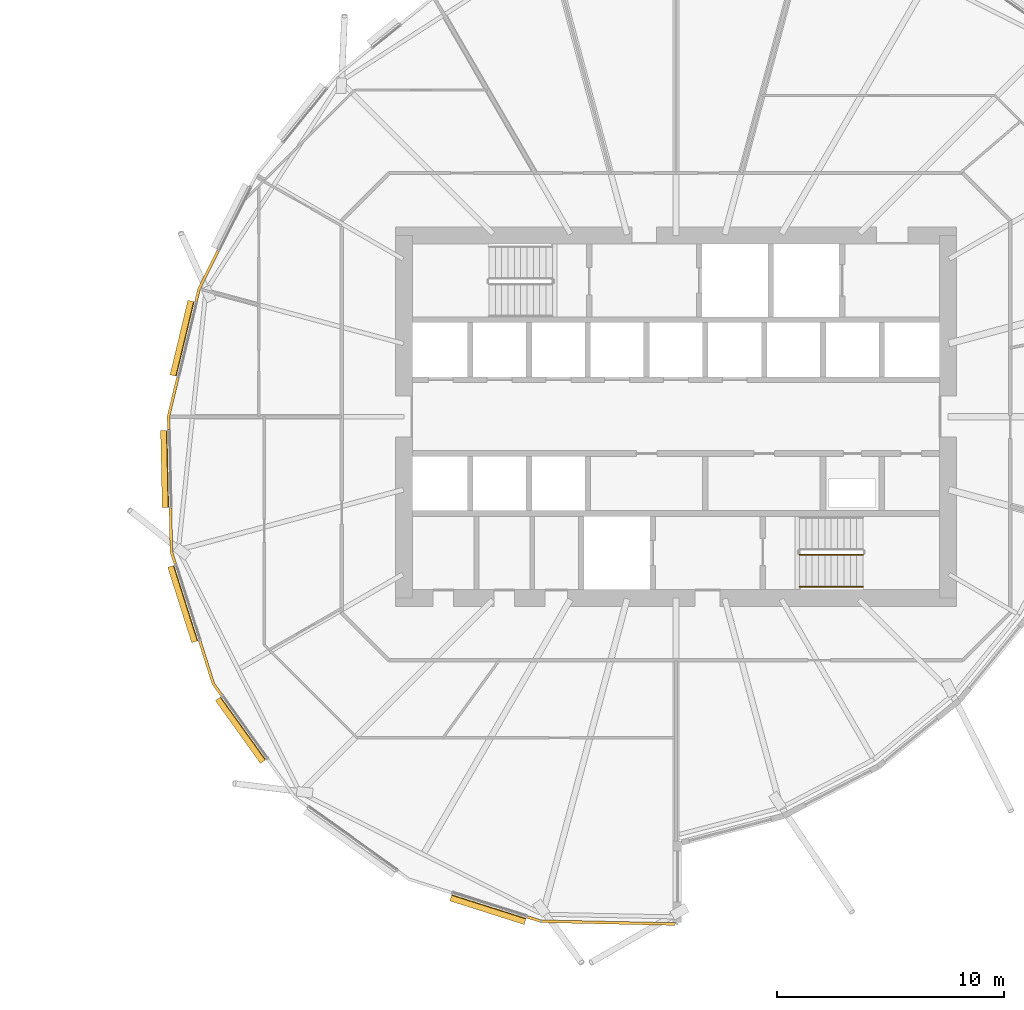
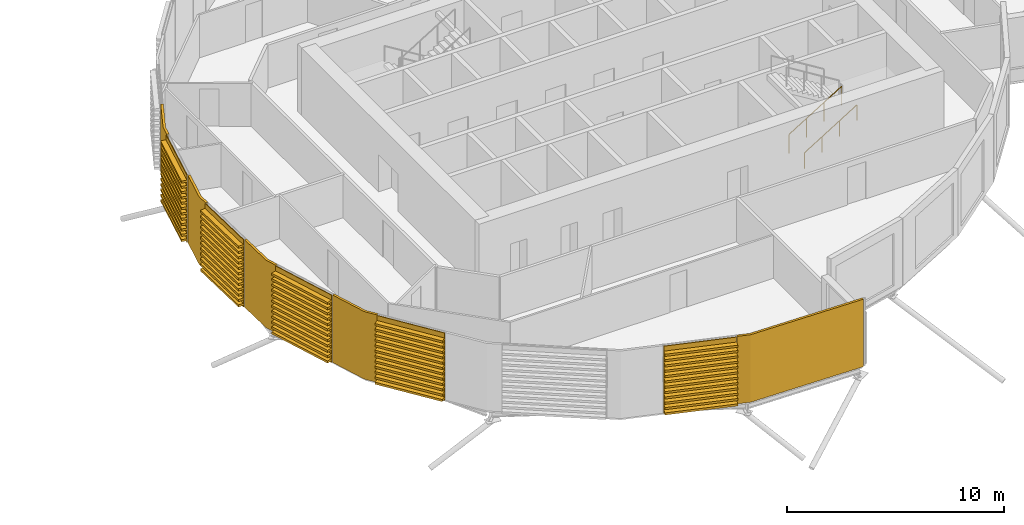
# One storey, part 40 of 42: 10 coverings, 2 railings.
"""IFC4 building model written with IfcOpenShell, lengths in metres."""

from ifc_helpers import new_model, si_unit, direction, frame, origin, origin_2d, place, context, subcontext, project, spatial, polyline, circle, outline, extrude, material, layer, layer_set, material_profile, profile_set, type_object, element, save


model = new_model("IFC4")

# Units and contexts
model_context = context("Model", 3, precision=1e-05, world=origin(), true_north=direction((0.0, 1.0)))
body_context = subcontext(model_context, "Body", "Model", "MODEL_VIEW")
ifc_project = project(units=[si_unit("LENGTHUNIT", "METRE"), si_unit("AREAUNIT", "SQUARE_METRE"), si_unit("VOLUMEUNIT", "CUBIC_METRE"), si_unit("PLANEANGLEUNIT", "RADIAN"), si_unit("MASSUNIT", "GRAM", prefix="KILO")], contexts=[model_context])

# Site, building, storey
site_placement = place(None, origin())
site = spatial("IfcSite", under=ifc_project, at=site_placement, CompositionType="ELEMENT")
building_placement = place(site_placement, origin())
building = spatial("IfcBuilding", under=site, at=building_placement, Name="Rimbun Link Towers", CompositionType="ELEMENT")
storey_placement = place(building_placement, frame((0.0, 0.0, 85.39990234375)))
storey = spatial("IfcBuildingStorey", under=building, at=storey_placement, Name="L20", CompositionType="ELEMENT", Elevation=85.39990234375)

# Coverings
ifc_material_1 = material(Name="Terracotta", Category="masonry")
ifc_layer = layer(ifc_material_1, 0.1201171875)
ifc_layer_set = layer_set([ifc_layer], Name="LINK PIER terracotta cladding 120")
covering_type_1 = type_object("IfcCoveringType", Name="LINK PIER terracotta cladding 120", PredefinedType="CLADDING", material=ifc_layer_set)
covering_1_placement = place(storey_placement, origin())
element("IfcCovering", 1, at=covering_1_placement, inside=storey, type_object=covering_type_1, Name="LINK PIER cladding", PredefinedType="CLADDING", context=body_context, shape_type="SweptSolid", body=[
    extrude(outline(polyline([(10.6337890625, 5.068115234375), (10.766357421875, 5.62255859375), (11.60546875, 7.293701171875), (11.498291015625, 7.34765625), (10.65283203125, 5.6640625), (10.51708984375, 5.09619140625), (10.6337890625, 5.068115234375)])), origin(), (0.0, 0.0, 1.0), 3.800048828125),
])
covering_2_placement = place(storey_placement, origin())
element("IfcCovering", 2, at=covering_2_placement, inside=storey, type_object=covering_type_1, Name="LINK PIER cladding", PredefinedType="CLADDING", context=body_context, shape_type="SweptSolid", body=[
    extrude(outline(polyline([(9.43359375, -0.56982421875), (9.421630859375, 0.0), (9.833251953125, 1.721435546875), (9.716552734375, 1.749267578125), (9.301513671875, 0.012939453125), (9.313720703125, -0.572509765625), (9.43359375, -0.56982421875)])), origin(), (0.0, 0.0, 1.0), 3.800048828125),
])
covering_3_placement = place(storey_placement, origin())
element("IfcCovering", 3, at=covering_3_placement, inside=storey, type_object=covering_type_1, Name="LINK PIER cladding", PredefinedType="CLADDING", context=body_context, shape_type="SweptSolid", body=[
    extrude(outline(polyline([(9.7197265625, -6.492431640625), (9.547119140625, -5.94921875), (9.506591796875, -4.02978515625), (9.38671875, -4.0322265625), (9.427490234375, -5.96923828125), (9.60546875, -6.52880859375), (9.7197265625, -6.492431640625)])), origin(), (0.0, 0.0, 1.0), 3.800048828125),
])
covering_4_placement = place(storey_placement, origin())
element("IfcCovering", 4, at=covering_4_placement, inside=storey, type_object=covering_type_1, Name="LINK PIER cladding", PredefinedType="CLADDING", context=body_context, shape_type="SweptSolid", body=[
    extrude(outline(polyline([(11.754150390625, -12.2568359375), (11.392822265625, -11.753173828125), (10.795654296875, -9.875732421875), (10.681396484375, -9.912109375), (11.2841796875, -11.8076171875), (11.65673828125, -12.326904296875), (11.754150390625, -12.2568359375)])), origin(), (0.0, 0.0, 1.0), 3.800048828125),
])
covering_5_placement = place(storey_placement, origin())
element("IfcCovering", 5, at=covering_5_placement, inside=storey, type_object=covering_type_1, Name="LINK PIER cladding", PredefinedType="CLADDING", context=body_context, shape_type="SweptSolid", body=[
    extrude(outline(polyline([(31.719970703125, -22.32763671875), (25.80078125, -22.202880859375), (25.2099609375, -22.01513671875), (25.173583984375, -22.12939453125), (25.78076171875, -22.322509765625), (31.717529296875, -22.44775390625), (31.719970703125, -22.32763671875)])), origin(), (0.0, 0.0, 1.0), 3.800048828125),
])

# Railings
ifc_material_2 = material(Name="Stainless steel grade 316", Category="steel")
railing_type_1 = type_object("IfcRailingType", Name="Stair guard", PredefinedType="GUARDRAIL", material=ifc_material_2)
railing_1_placement = place(storey_placement, frame((37.199951171875, -6.10009765625, 0.1728515625)))
element("IfcRailing", 6, at=railing_1_placement, inside=storey, type_object=railing_type_1, Name="L20 ST4 stair guard 1", PredefinedType="GUARDRAIL", context=body_context, shape_type="SweptSolid", body=[
    extrude(circle(Radius=0.02392578125, at=origin_2d()), frame((0.0, 0.0, 1.076171875), z_axis=(0.851089632645, 0.0, 0.525020415988), x_axis=(0.0, 1.0, 0.0)), (0.0, 0.0, 1.0), 3.2900390625),
    extrude(circle(Radius=0.02099609375, at=origin_2d()), origin(), (0.0, 0.0, 1.0), 1.052001953125),
    extrude(circle(Radius=0.02099609375, at=origin_2d()), frame((0.933349609375, 0.0, 0.57568359375)), (0.0, 0.0, 1.0), 1.052001953125),
    extrude(circle(Radius=0.02099609375, at=origin_2d()), frame((1.86669921875, 0.0, 1.151611328125)), (0.0, 0.0, 1.0), 1.052001953125),
    extrude(circle(Radius=0.02099609375, at=origin_2d()), frame((2.800048828125, 0.0, 1.727294921875)), (0.0, 0.0, 1.0), 1.052001953125),
])
ifc_material_3 = material(Name="Stainless steel grade 316", Category="steel")
railing_type_2 = type_object("IfcRailingType", Name="Stair handrail", PredefinedType="HANDRAIL", material=ifc_material_3)
railing_2_placement = place(storey_placement, frame((37.199951171875, -7.5, 0.1728515625)))
element("IfcRailing", 7, at=railing_2_placement, inside=storey, type_object=railing_type_2, Name="L20 ST4 stair handrail 1", PredefinedType="HANDRAIL", context=body_context, shape_type="SweptSolid", body=[
    extrude(circle(Radius=0.02392578125, at=origin_2d()), frame((0.0, 0.0, 0.8759765625), z_axis=(0.851089632645, 0.0, 0.525020415988), x_axis=(0.0, 1.0, 0.0)), (0.0, 0.0, 1.0), 3.2900390625),
    extrude(circle(Radius=0.02099609375, at=origin_2d()), origin(), (0.0, 0.0, 1.0), 0.851806640625),
    extrude(circle(Radius=0.02099609375, at=origin_2d()), frame((0.933349609375, 0.0, 0.57568359375)), (0.0, 0.0, 1.0), 0.851806640625),
    extrude(circle(Radius=0.02099609375, at=origin_2d()), frame((1.86669921875, 0.0, 1.151611328125)), (0.0, 0.0, 1.0), 0.851806640625),
    extrude(circle(Radius=0.02099609375, at=origin_2d()), frame((2.800048828125, 0.0, 1.727294921875)), (0.0, 0.0, 1.0), 0.851806640625),
])

# Coverings
ifc_material_4 = material(Name="Terracotta", Category="masonry")
ifc_material_profile = material_profile(ifc_material_4, outline(polyline([(0.123046875, 0.0), (0.1630859375, 0.0), (0.1630859375, 0.10009765625), (0.423095703125, 0.10009765625), (0.423095703125, 0.219970703125), (0.1630859375, 0.219970703125), (0.1630859375, 0.39990234375), (0.423095703125, 0.39990234375), (0.423095703125, 0.52001953125), (0.1630859375, 0.52001953125), (0.1630859375, 0.699951171875), (0.423095703125, 0.699951171875), (0.423095703125, 0.820068359375), (0.1630859375, 0.820068359375), (0.1630859375, 1.0), (0.423095703125, 1.0), (0.423095703125, 1.1201171875), (0.1630859375, 1.1201171875), (0.1630859375, 1.300048828125), (0.423095703125, 1.300048828125), (0.423095703125, 1.419921875), (0.1630859375, 1.419921875), (0.1630859375, 1.60009765625), (0.423095703125, 1.60009765625), (0.423095703125, 1.719970703125), (0.1630859375, 1.719970703125), (0.1630859375, 1.89990234375), (0.423095703125, 1.89990234375), (0.423095703125, 2.02001953125), (0.1630859375, 2.02001953125), (0.1630859375, 2.199951171875), (0.423095703125, 2.199951171875), (0.423095703125, 2.320068359375), (0.1630859375, 2.320068359375), (0.1630859375, 2.5), (0.423095703125, 2.5), (0.423095703125, 2.6201171875), (0.1630859375, 2.6201171875), (0.1630859375, 2.800048828125), (0.423095703125, 2.800048828125), (0.423095703125, 2.919921875), (0.1630859375, 2.919921875), (0.1630859375, 3.10009765625), (0.423095703125, 3.10009765625), (0.423095703125, 3.219970703125), (0.1630859375, 3.219970703125), (0.1630859375, 3.39990234375), (0.423095703125, 3.39990234375), (0.423095703125, 3.52001953125), (0.1630859375, 3.52001953125), (0.1630859375, 3.800048828125), (0.123046875, 3.800048828125), (0.123046875, 0.0)])), Name="BAGUETTE 120X300")
ifc_profile_set = profile_set([ifc_material_profile], Name="Terracotta")
covering_type_2 = type_object("IfcCoveringType", Name="TERRACOTTA BAGUETTE 120X300 H3800", PredefinedType="CLADDING", material=ifc_profile_set)
covering_6_placement = place(storey_placement, frame((9.84033203125, 1.750732421875, 0.0), z_axis=(0.232583607102, 0.972576406103, 0.0), x_axis=(-0.972576406103, 0.232583607102, 0.0)))
element("IfcCovering", 8, at=covering_6_placement, inside=storey, type_object=covering_type_2, Name="TERRACOTTA BAGUETTE", PredefinedType="CLADDING", context=body_context, shape_type="SweptSolid", body=[
    extrude(outline(polyline([(0.123046875, 0.0), (0.1630859375, 0.0), (0.1630859375, 0.10009765625), (0.423095703125, 0.10009765625), (0.423095703125, 0.219970703125), (0.1630859375, 0.219970703125), (0.1630859375, 0.39990234375), (0.423095703125, 0.39990234375), (0.423095703125, 0.52001953125), (0.1630859375, 0.52001953125), (0.1630859375, 0.699951171875), (0.423095703125, 0.699951171875), (0.423095703125, 0.820068359375), (0.1630859375, 0.820068359375), (0.1630859375, 1.0), (0.423095703125, 1.0), (0.423095703125, 1.1201171875), (0.1630859375, 1.1201171875), (0.1630859375, 1.300048828125), (0.423095703125, 1.300048828125), (0.423095703125, 1.419921875), (0.1630859375, 1.419921875), (0.1630859375, 1.60009765625), (0.423095703125, 1.60009765625), (0.423095703125, 1.719970703125), (0.1630859375, 1.719970703125), (0.1630859375, 1.89990234375), (0.423095703125, 1.89990234375), (0.423095703125, 2.02001953125), (0.1630859375, 2.02001953125), (0.1630859375, 2.199951171875), (0.423095703125, 2.199951171875), (0.423095703125, 2.320068359375), (0.1630859375, 2.320068359375), (0.1630859375, 2.5), (0.423095703125, 2.5), (0.423095703125, 2.6201171875), (0.1630859375, 2.6201171875), (0.1630859375, 2.800048828125), (0.423095703125, 2.800048828125), (0.423095703125, 2.919921875), (0.1630859375, 2.919921875), (0.1630859375, 3.10009765625), (0.423095703125, 3.10009765625), (0.423095703125, 3.219970703125), (0.1630859375, 3.219970703125), (0.1630859375, 3.39990234375), (0.423095703125, 3.39990234375), (0.423095703125, 3.52001953125), (0.1630859375, 3.52001953125), (0.1630859375, 3.800048828125), (0.123046875, 3.800048828125), (0.123046875, 0.0)])), origin(), (0.0, 0.0, 1.0), 3.381103515625),
])
covering_7_placement = place(storey_placement, frame((9.505859375, -3.999755859375, 0.0), z_axis=(-0.021035126383, 0.99977873725, 0.0), x_axis=(-0.99977873725, -0.021035126383, 0.0)))
element("IfcCovering", 9, at=covering_7_placement, inside=storey, type_object=covering_type_2, Name="TERRACOTTA BAGUETTE", PredefinedType="CLADDING", context=body_context, shape_type="SweptSolid", body=[
    extrude(outline(polyline([(0.123046875, 0.0), (0.1630859375, 0.0), (0.1630859375, 0.10009765625), (0.423095703125, 0.10009765625), (0.423095703125, 0.219970703125), (0.1630859375, 0.219970703125), (0.1630859375, 0.39990234375), (0.423095703125, 0.39990234375), (0.423095703125, 0.52001953125), (0.1630859375, 0.52001953125), (0.1630859375, 0.699951171875), (0.423095703125, 0.699951171875), (0.423095703125, 0.820068359375), (0.1630859375, 0.820068359375), (0.1630859375, 1.0), (0.423095703125, 1.0), (0.423095703125, 1.1201171875), (0.1630859375, 1.1201171875), (0.1630859375, 1.300048828125), (0.423095703125, 1.300048828125), (0.423095703125, 1.419921875), (0.1630859375, 1.419921875), (0.1630859375, 1.60009765625), (0.423095703125, 1.60009765625), (0.423095703125, 1.719970703125), (0.1630859375, 1.719970703125), (0.1630859375, 1.89990234375), (0.423095703125, 1.89990234375), (0.423095703125, 2.02001953125), (0.1630859375, 2.02001953125), (0.1630859375, 2.199951171875), (0.423095703125, 2.199951171875), (0.423095703125, 2.320068359375), (0.1630859375, 2.320068359375), (0.1630859375, 2.5), (0.423095703125, 2.5), (0.423095703125, 2.6201171875), (0.1630859375, 2.6201171875), (0.1630859375, 2.800048828125), (0.423095703125, 2.800048828125), (0.423095703125, 2.919921875), (0.1630859375, 2.919921875), (0.1630859375, 3.10009765625), (0.423095703125, 3.10009765625), (0.423095703125, 3.219970703125), (0.1630859375, 3.219970703125), (0.1630859375, 3.39990234375), (0.423095703125, 3.39990234375), (0.423095703125, 3.52001953125), (0.1630859375, 3.52001953125), (0.1630859375, 3.800048828125), (0.123046875, 3.800048828125), (0.123046875, 0.0)])), origin(), (0.0, 0.0, 1.0), 3.400634765625),
])
covering_8_placement = place(storey_placement, frame((10.78662109375, -9.84716796875, 0.0), z_axis=(-0.30308239504, 0.952964354956, 0.0), x_axis=(-0.952964354956, -0.30308239504, 0.0)))
element("IfcCovering", 10, at=covering_8_placement, inside=storey, type_object=covering_type_2, Name="TERRACOTTA BAGUETTE", PredefinedType="CLADDING", context=body_context, shape_type="SweptSolid", body=[
    extrude(outline(polyline([(0.123046875, 0.0), (0.1630859375, 0.0), (0.1630859375, 0.10009765625), (0.423095703125, 0.10009765625), (0.423095703125, 0.219970703125), (0.1630859375, 0.219970703125), (0.1630859375, 0.39990234375), (0.423095703125, 0.39990234375), (0.423095703125, 0.52001953125), (0.1630859375, 0.52001953125), (0.1630859375, 0.699951171875), (0.423095703125, 0.699951171875), (0.423095703125, 0.820068359375), (0.1630859375, 0.820068359375), (0.1630859375, 1.0), (0.423095703125, 1.0), (0.423095703125, 1.1201171875), (0.1630859375, 1.1201171875), (0.1630859375, 1.300048828125), (0.423095703125, 1.300048828125), (0.423095703125, 1.419921875), (0.1630859375, 1.419921875), (0.1630859375, 1.60009765625), (0.423095703125, 1.60009765625), (0.423095703125, 1.719970703125), (0.1630859375, 1.719970703125), (0.1630859375, 1.89990234375), (0.423095703125, 1.89990234375), (0.423095703125, 2.02001953125), (0.1630859375, 2.02001953125), (0.1630859375, 2.199951171875), (0.423095703125, 2.199951171875), (0.423095703125, 2.320068359375), (0.1630859375, 2.320068359375), (0.1630859375, 2.5), (0.423095703125, 2.5), (0.423095703125, 2.6201171875), (0.1630859375, 2.6201171875), (0.1630859375, 2.800048828125), (0.423095703125, 2.800048828125), (0.423095703125, 2.919921875), (0.1630859375, 2.919921875), (0.1630859375, 3.10009765625), (0.423095703125, 3.10009765625), (0.423095703125, 3.219970703125), (0.1630859375, 3.219970703125), (0.1630859375, 3.39990234375), (0.423095703125, 3.39990234375), (0.423095703125, 3.52001953125), (0.1630859375, 3.52001953125), (0.1630859375, 3.800048828125), (0.123046875, 3.800048828125), (0.123046875, 0.0)])), origin(), (0.0, 0.0, 1.0), 3.490234375),
])
covering_9_placement = place(storey_placement, frame((13.76318359375, -15.056396484375, 0.0), z_axis=(-0.583021739136, 0.812456553728, 0.0), x_axis=(-0.812456553728, -0.583021739136, 0.0)))
element("IfcCovering", 11, at=covering_9_placement, inside=storey, type_object=covering_type_2, Name="TERRACOTTA BAGUETTE", PredefinedType="CLADDING", context=body_context, shape_type="SweptSolid", body=[
    extrude(outline(polyline([(0.123046875, 0.0), (0.1630859375, 0.0), (0.1630859375, 0.10009765625), (0.423095703125, 0.10009765625), (0.423095703125, 0.219970703125), (0.1630859375, 0.219970703125), (0.1630859375, 0.39990234375), (0.423095703125, 0.39990234375), (0.423095703125, 0.52001953125), (0.1630859375, 0.52001953125), (0.1630859375, 0.699951171875), (0.423095703125, 0.699951171875), (0.423095703125, 0.820068359375), (0.1630859375, 0.820068359375), (0.1630859375, 1.0), (0.423095703125, 1.0), (0.423095703125, 1.1201171875), (0.1630859375, 1.1201171875), (0.1630859375, 1.300048828125), (0.423095703125, 1.300048828125), (0.423095703125, 1.419921875), (0.1630859375, 1.419921875), (0.1630859375, 1.60009765625), (0.423095703125, 1.60009765625), (0.423095703125, 1.719970703125), (0.1630859375, 1.719970703125), (0.1630859375, 1.89990234375), (0.423095703125, 1.89990234375), (0.423095703125, 2.02001953125), (0.1630859375, 2.02001953125), (0.1630859375, 2.199951171875), (0.423095703125, 2.199951171875), (0.423095703125, 2.320068359375), (0.1630859375, 2.320068359375), (0.1630859375, 2.5), (0.423095703125, 2.5), (0.423095703125, 2.6201171875), (0.1630859375, 2.6201171875), (0.1630859375, 2.800048828125), (0.423095703125, 2.800048828125), (0.423095703125, 2.919921875), (0.1630859375, 2.919921875), (0.1630859375, 3.10009765625), (0.423095703125, 3.10009765625), (0.423095703125, 3.219970703125), (0.1630859375, 3.219970703125), (0.1630859375, 3.39990234375), (0.423095703125, 3.39990234375), (0.423095703125, 3.52001953125), (0.1630859375, 3.52001953125), (0.1630859375, 3.800048828125), (0.123046875, 3.800048828125), (0.123046875, 0.0)])), origin(), (0.0, 0.0, 1.0), 3.415771484375),
])
covering_10_placement = place(storey_placement, frame((25.18115234375, -22.006103515625, 0.0), z_axis=(-0.952957464057, 0.303104060842, 0.0), x_axis=(-0.303104060842, -0.952957464057, 0.0)))
element("IfcCovering", 12, at=covering_10_placement, inside=storey, type_object=covering_type_2, Name="TERRACOTTA BAGUETTE", PredefinedType="CLADDING", context=body_context, shape_type="SweptSolid", body=[
    extrude(outline(polyline([(0.123046875, 0.0), (0.1630859375, 0.0), (0.1630859375, 0.10009765625), (0.423095703125, 0.10009765625), (0.423095703125, 0.219970703125), (0.1630859375, 0.219970703125), (0.1630859375, 0.39990234375), (0.423095703125, 0.39990234375), (0.423095703125, 0.52001953125), (0.1630859375, 0.52001953125), (0.1630859375, 0.699951171875), (0.423095703125, 0.699951171875), (0.423095703125, 0.820068359375), (0.1630859375, 0.820068359375), (0.1630859375, 1.0), (0.423095703125, 1.0), (0.423095703125, 1.1201171875), (0.1630859375, 1.1201171875), (0.1630859375, 1.300048828125), (0.423095703125, 1.300048828125), (0.423095703125, 1.419921875), (0.1630859375, 1.419921875), (0.1630859375, 1.60009765625), (0.423095703125, 1.60009765625), (0.423095703125, 1.719970703125), (0.1630859375, 1.719970703125), (0.1630859375, 1.89990234375), (0.423095703125, 1.89990234375), (0.423095703125, 2.02001953125), (0.1630859375, 2.02001953125), (0.1630859375, 2.199951171875), (0.423095703125, 2.199951171875), (0.423095703125, 2.320068359375), (0.1630859375, 2.320068359375), (0.1630859375, 2.5), (0.423095703125, 2.5), (0.423095703125, 2.6201171875), (0.1630859375, 2.6201171875), (0.1630859375, 2.800048828125), (0.423095703125, 2.800048828125), (0.423095703125, 2.919921875), (0.1630859375, 2.919921875), (0.1630859375, 3.10009765625), (0.423095703125, 3.10009765625), (0.423095703125, 3.219970703125), (0.1630859375, 3.219970703125), (0.1630859375, 3.39990234375), (0.423095703125, 3.39990234375), (0.423095703125, 3.52001953125), (0.1630859375, 3.52001953125), (0.1630859375, 3.800048828125), (0.123046875, 3.800048828125), (0.123046875, 0.0)])), origin(), (0.0, 0.0, 1.0), 3.440185546875),
])

save(model, "model.ifc")
